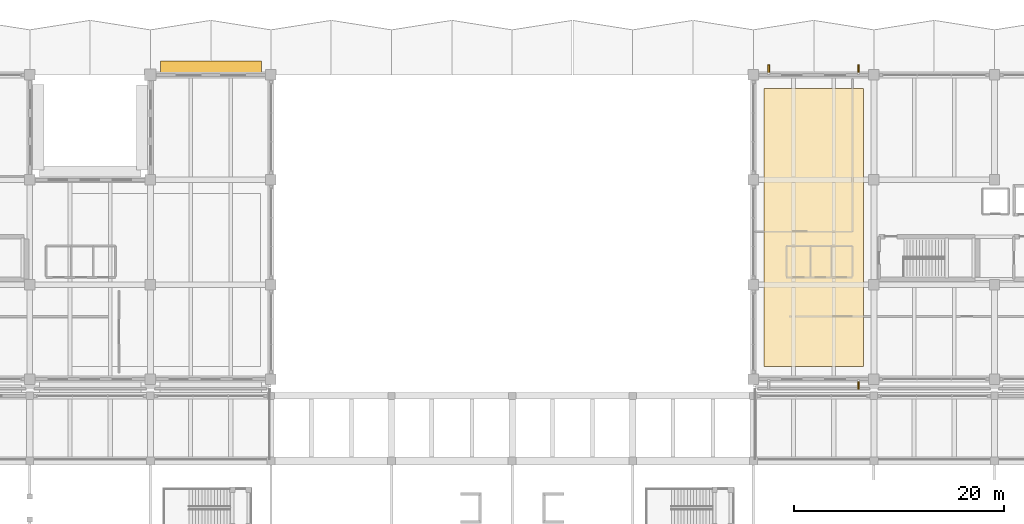
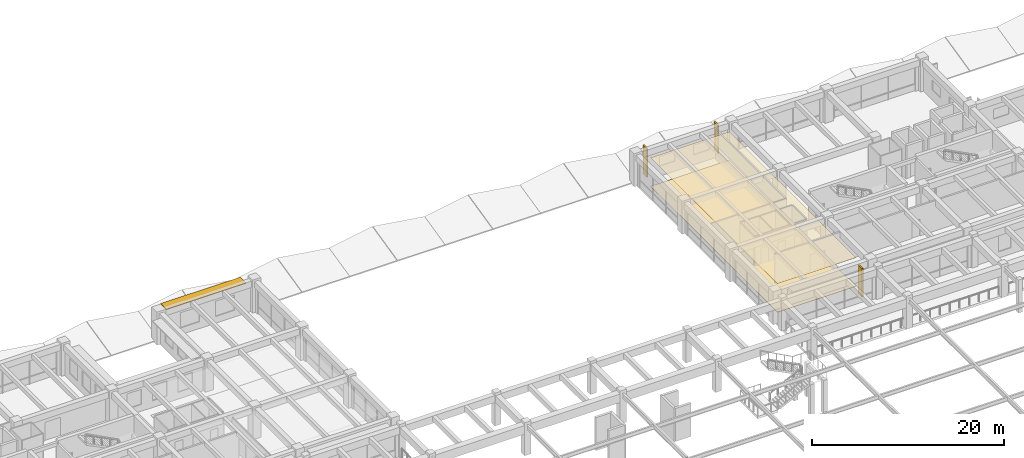
# One storey, part 95 of 98: 4 shading devices, 2 coverings.
"""IFC4 building model written with IfcOpenShell, lengths in metres."""

from ifc_helpers import new_model, si_unit, direction, frame, origin, origin_2d, place, context, subcontext, project, spatial, polyline, rectangle, outline, extrude, material, layer, layer_set, type_object, element, save


model = new_model("IFC4")

# Units and contexts
model_context = context("Model", 3, precision=1e-05, world=origin(), true_north=direction((0.0, 1.0)))
body_context = subcontext(model_context, "Body", "Model", "MODEL_VIEW")
ifc_project = project(units=[si_unit("LENGTHUNIT", "METRE"), si_unit("AREAUNIT", "SQUARE_METRE"), si_unit("VOLUMEUNIT", "CUBIC_METRE"), si_unit("PLANEANGLEUNIT", "RADIAN"), si_unit("MASSUNIT", "GRAM", prefix="KILO")], contexts=[model_context])

# Site, building, storey
site_placement = place(None, origin())
site = spatial("IfcSite", under=ifc_project, at=site_placement, CompositionType="ELEMENT")
building_placement = place(site_placement, origin())
building = spatial("IfcBuilding", under=site, at=building_placement, Name="Ologun Quay Terminus", CompositionType="ELEMENT")
storey_placement = place(building_placement, frame((0.0, 0.0, 4.199951171875)))
storey = spatial("IfcBuildingStorey", under=building, at=storey_placement, Name="L01", CompositionType="ELEMENT", Elevation=4.199951171875)

# Covering
ifc_material_1 = material(Name="Steel S355", Category="steel")
ifc_layer_1 = layer(ifc_material_1, 0.044921875)
ifc_layer_set_1 = layer_set([ifc_layer_1], Name="Steel S355")
covering_type_1 = type_object("IfcCoveringType", Name="Anti-Static Raised Access Control Floor 45", PredefinedType="FLOORING", material=ifc_layer_set_1)
covering_1_placement = place(storey_placement, origin())
element("IfcCovering", 1, at=covering_1_placement, inside=storey, type_object=covering_type_1, Name="CV-FL3 Interior Flooring 5", PredefinedType="FLOORING", context=body_context, shape_type="SweptSolid", body=[
    extrude(outline(polyline([(116.0, 87.0), (125.5, 87.0), (125.5, 113.5), (116.0, 113.5), (116.0, 87.0)])), origin(), (0.0, 0.0, 1.0), 0.045166015625),
])

# Shading device
ifc_material_2 = material(Name="Aluminium 6063-T6", Category="aluminium")
ifc_layer_2 = layer(ifc_material_2, 0.10009765625)
ifc_layer_set_2 = layer_set([ifc_layer_2], Name="Aluminium 6063-T6")
shading_device_type_1 = type_object("IfcShadingDeviceType", Name="Deep Waterfront Brise-Soleil Blade 1200", PredefinedType="JALOUSIE", material=ifc_layer_set_2)
shading_device_placement = place(storey_placement, frame((63.27490234375, 115.530029296875, 3.530029296875), z_axis=(0.0, 0.0, 1.0), x_axis=(1.0, 0.0, 0.0)))
element("IfcShadingDevice", 2, at=shading_device_placement, inside=storey, type_object=shading_device_type_1, Name="SD-02 Sun-Hood WEW-WW-N-L01-10", PredefinedType="JALOUSIE", context=body_context, shape_type="SweptSolid", body=[
    extrude(rectangle(XDim=9.610107421875, YDim=1.199951171875, at=origin_2d()), origin(), (0.0, 0.0, 1.0), 0.10009765625),
])

# Covering
ifc_material_3 = material(Name="Gypsum Acoustic Stud")
ifc_layer_3 = layer(ifc_material_3, 0.02001953125)
ifc_layer_set_3 = layer_set([ifc_layer_3], Name="Gypsum Acoustic Stud")
covering_type_2 = type_object("IfcCoveringType", Name="Mineral-Fibre Acoustic Suspended Ceiling 20", PredefinedType="CEILING", material=ifc_layer_set_3)
covering_2_placement = place(storey_placement, frame((0.0, 0.0, 3.650146484375)))
element("IfcCovering", 3, at=covering_2_placement, inside=storey, type_object=covering_type_2, Name="CV-CL2 Acoustic Ceiling 7", PredefinedType="CEILING", context=body_context, shape_type="SweptSolid", body=[
    extrude(outline(polyline([(116.0, 87.0), (125.5, 87.0), (125.5, 113.5), (116.0, 113.5), (116.0, 87.0)])), origin(), (0.0, 0.0, 1.0), 0.02001953125),
])

# Shading devices
ifc_material_4 = material(Name="Concrete C40/50", Category="concrete")
ifc_layer_4 = layer(ifc_material_4, 0.159912109375)
ifc_layer_set_4 = layer_set([ifc_layer_4], Name="Concrete C40/50")
shading_device_type_2 = type_object("IfcShadingDeviceType", Name="Operations Angled Precast Solar Fin 850x160", PredefinedType="USERDEFINED", material=ifc_layer_set_4)
for number, where, z_axis, x_axis, name in (
    (4, (125.030029296875, 85.2451171875, 0.150146484375), (0.0, 0.0, 1.0), (1.0, 0.0, 0.0), "SD-05 Vertical Solar Fin WEW-EW-L01-1-2"),
    (5, (116.469970703125, 115.35498046875, 0.150146484375), (0.0, 0.0, 1.0), (1.0, 0.0, 0.0), "SD-05 Vertical Solar Fin WEW-EW-L01-17-1"),
    (6, (125.030029296875, 115.35498046875, 0.150146484375), (0.0, 0.0, 1.0), (1.0, 0.0, 0.0), "SD-05 Vertical Solar Fin WEW-EW-L01-17-2"),
):
    element("IfcShadingDevice", number, at=place(storey_placement, frame(where, z_axis=z_axis, x_axis=x_axis)), inside=storey, type_object=shading_device_type_2, Name=name, ObjectType="SOLAR FIN", PredefinedType="USERDEFINED", context=body_context, shape_type="SweptSolid", body=[
        extrude(rectangle(XDim=0.159912109375, YDim=0.85009765625, at=origin_2d()), origin(), (0.0, 0.0, 1.0), 3.6298828125),
    ])

save(model, "model.ifc")
